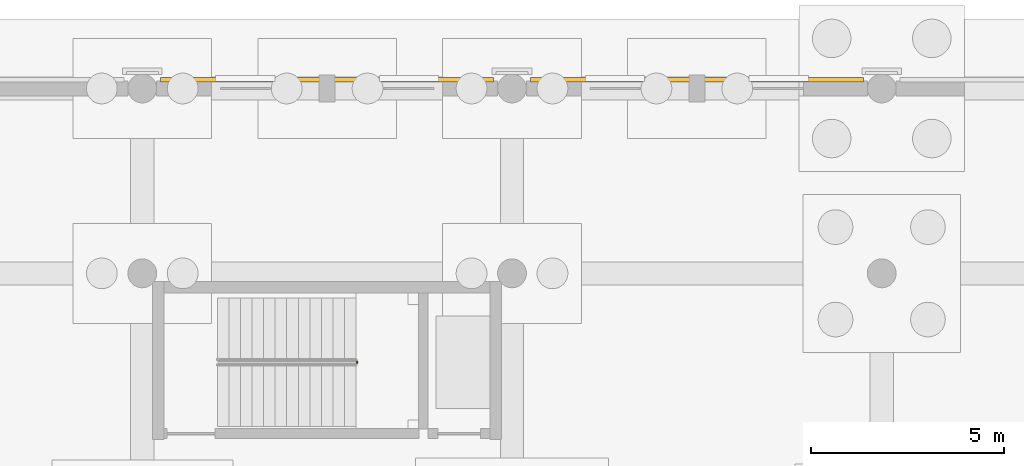
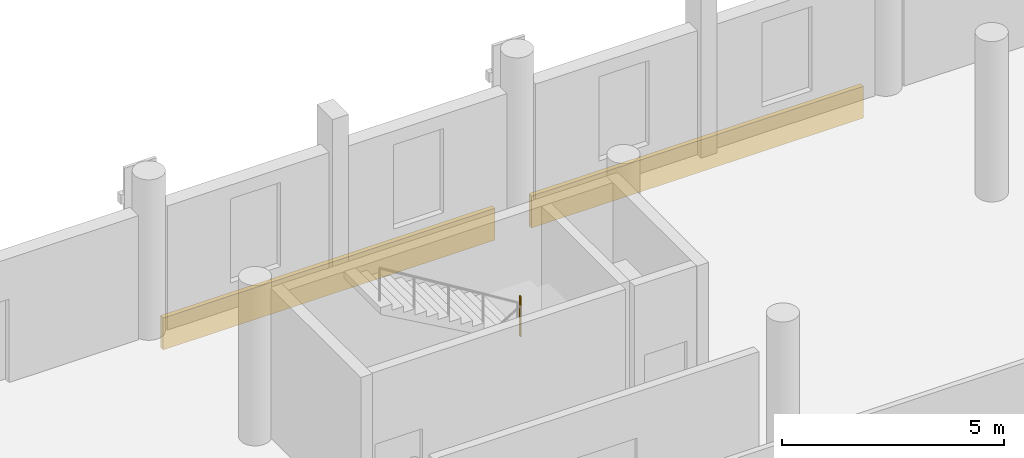
# One storey, part 186 of 196: 2 coverings, 1 railing.
"""IFC4 building model written with IfcOpenShell, lengths in metres."""

from ifc_helpers import new_model, si_unit, direction, frame, origin, origin_2d, place, context, subcontext, project, spatial, rectangle, circle, extrude, material, layer, layer_set, type_object, element, save


model = new_model("IFC4")

# Units and contexts
model_context = context("Model", 3, precision=1e-05, world=origin(), true_north=direction((0.0, 1.0)))
body_context = subcontext(model_context, "Body", "Model", "MODEL_VIEW")
ifc_project = project(units=[si_unit("LENGTHUNIT", "METRE"), si_unit("AREAUNIT", "SQUARE_METRE"), si_unit("VOLUMEUNIT", "CUBIC_METRE"), si_unit("PLANEANGLEUNIT", "RADIAN"), si_unit("MASSUNIT", "GRAM", prefix="KILO")], contexts=[model_context])

# Site, building, storey
site_placement = place(None, origin())
site = spatial("IfcSite", under=ifc_project, at=site_placement, CompositionType="ELEMENT")
building_placement = place(site_placement, origin())
building = spatial("IfcBuilding", under=site, at=building_placement, Name="Asteropetra Specialist Clinic", CompositionType="ELEMENT")
storey_placement = place(building_placement, origin())
storey = spatial("IfcBuildingStorey", under=building, at=storey_placement, Name="L00", CompositionType="ELEMENT", Elevation=0.0)

# Coverings
ifc_material_1 = material(Name="Pentelic marble ashlar", Category="masonry")
ifc_layer = layer(ifc_material_1, 0.159912109375)
ifc_layer_set = layer_set([ifc_layer], Name="Pentelic marble ashlar")
covering_type = type_object("IfcCoveringType", Name="CRN-ENTAB-600", PredefinedType="MOLDING", material=ifc_layer_set)
for number, where, z_axis, x_axis, name in (
    (1, (33.60009765625, 110.6298828125, -0.800048828125), (0.0, 0.0, 1.0), (1.0, 0.0, 0.0), "Chevron Spandrel Band CV-1386"),
    (2, (43.199951171875, 110.6298828125, -0.800048828125), (0.0, 0.0, 1.0), (1.0, 0.0, 0.0), "Chevron Spandrel Band CV-1390"),
):
    element("IfcCovering", number, at=place(storey_placement, frame(where, z_axis=z_axis, x_axis=x_axis)), inside=storey, type_object=covering_type, Name=name, PredefinedType="MOLDING", context=body_context, shape_type="SweptSolid", body=[
        extrude(rectangle(XDim=8.64990234375, YDim=0.1201171875, at=origin_2d()), origin(), (0.0, 0.0, 1.0), 0.8798828125),
    ])

# Railing
ifc_material_2 = material(Name="Steel S355 and laminated glass guard", Category="steel")
railing_type = type_object("IfcRailingType", Name="GRD-INT-1120", PredefinedType="GUARDRAIL", material=ifc_material_2)
railing_placement = place(storey_placement, frame((34.3798828125, 103.27001953125, 2.2099609375)))
element("IfcRailing", 3, at=railing_placement, inside=storey, type_object=railing_type, Name="Landing Slot Guard ST02-L00", PredefinedType="GUARDRAIL", context=body_context, shape_type="SweptSolid", body=[
    extrude(circle(Radius=0.02392578125, at=origin_2d()), frame((0.0, 0.0, 1.09619140625), z_axis=(0.0, 1.0, 0.0), x_axis=(-1.0, 0.0, 0.0)), (0.0, 0.0, 1.0), 0.0400390625),
    extrude(circle(Radius=0.02099609375, at=origin_2d()), origin(), (0.0, 0.0, 1.0), 1.072021484375),
    extrude(circle(Radius=0.02099609375, at=origin_2d()), frame((0.0, 0.0400390625, 0.0)), (0.0, 0.0, 1.0), 1.072021484375),
])

save(model, "model.ifc")
